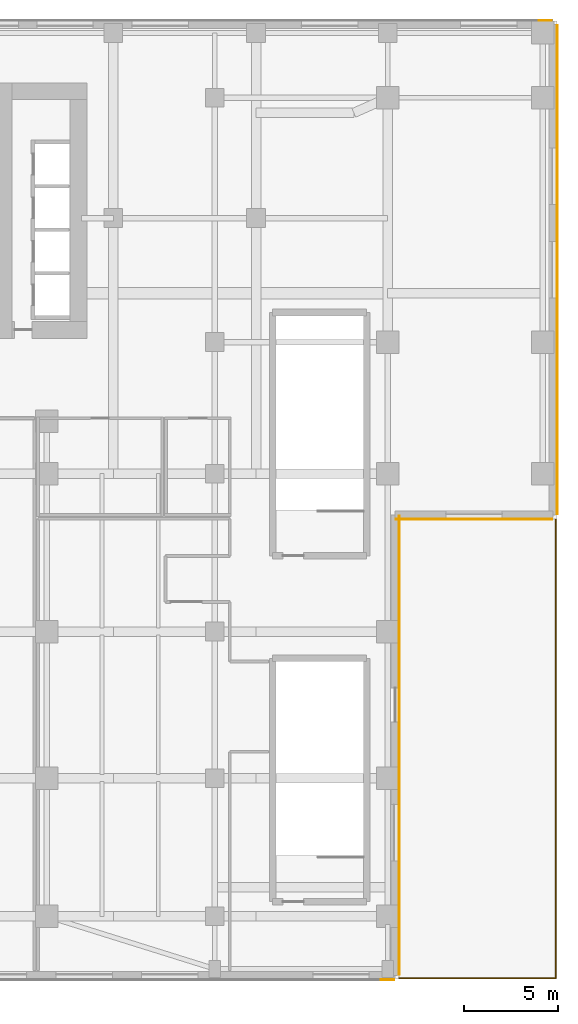
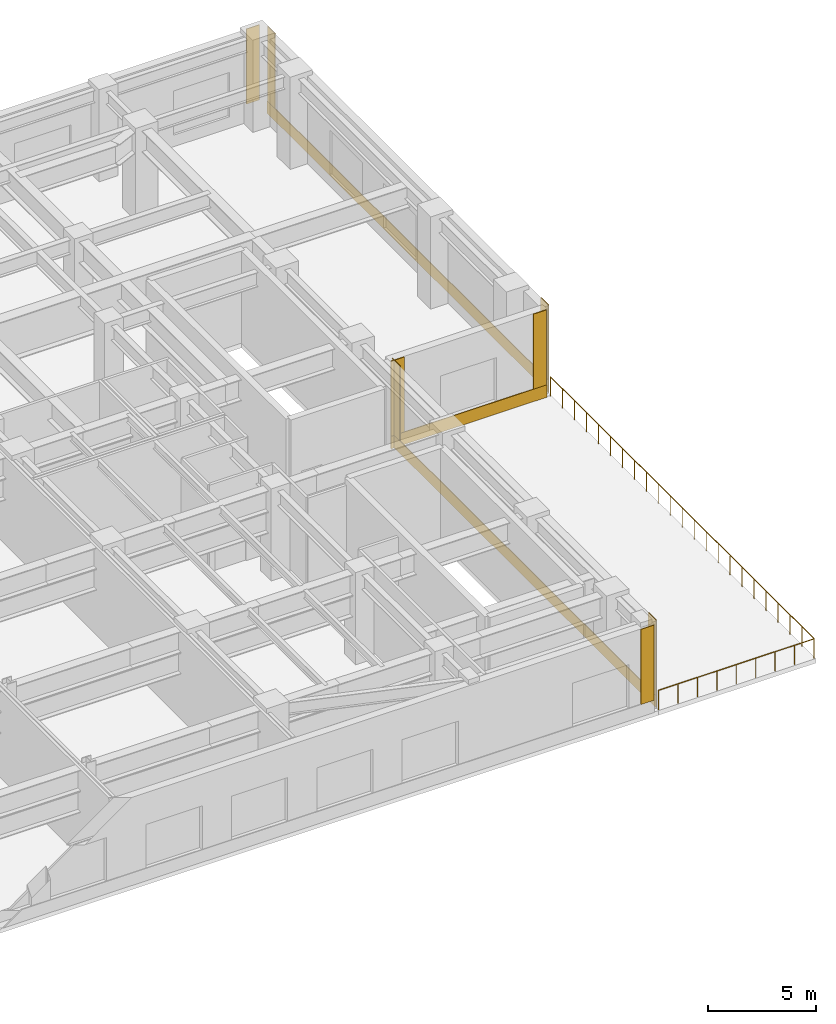
# One storey, part 14 of 14: 11 coverings, 1 railing.
"""IFC4 building model written with IfcOpenShell, lengths in metres."""

import ifcopenshell
import ifcopenshell.guid

model = None  # the IFC model being written
_history = None  # IfcOwnerHistory: only IFC2X3 demands one
_inside = {}  # id of a spatial element -> (the spatial element, [elements in it])
_under = {}  # id of a project, library or spatial element -> (it, [spatial elements below it])
_declared = {}  # id of a project -> (the project, [libraries it declares])
_typed = {}  # id of a type object -> (the type object, [elements of that type])
_made_of = {}  # id of a material, layer set ... -> (it, [elements and type objects made of it])


def new_model(schema):
    """Start an empty IFC model of exactly this schema.

    Asked for "IFC4X3", IfcOpenShell would pick the latest addendum, in which some entities
    have other attributes; the version numbers below select the first issue.
    IFC2X3 requires an IfcOwnerHistory on every rooted entity: one is made here for all.
    """
    global model, _history
    if schema == "IFC4X3":
        model = ifcopenshell.file(schema_version=(4, 3, 0, 0))
    else:
        model = ifcopenshell.file(schema=schema)
    _inside.clear()
    _under.clear()
    _declared.clear()
    _typed.clear()
    _made_of.clear()
    _history = None
    if model.schema == "IFC2X3":
        org = make("IfcOrganization", Name="unknown")
        user = make(
            "IfcPersonAndOrganization",
            ThePerson=make("IfcPerson", FamilyName="unknown"),
            TheOrganization=org,
        )
        app = make(
            "IfcApplication",
            ApplicationDeveloper=org,
            Version="unknown",
            ApplicationFullName="unknown",
            ApplicationIdentifier="unknown",
        )
        _history = make(
            "IfcOwnerHistory",
            OwningUser=user,
            OwningApplication=app,
            ChangeAction="ADDED",
            CreationDate=0,
        )
    return model


def make(cls, **values):
    """One entity of the class cls with the attributes given. An attribute that is None is left unset."""
    return model.create_entity(
        cls, **{name: value for name, value in values.items() if value is not None}
    )


def rooted(cls, **values):
    """An entity with a GlobalId (a new one), such as an element, a storey or a relation."""
    return make(cls, GlobalId=ifcopenshell.guid.new(), OwnerHistory=_history, **values)


def si_unit(unit_type, name, prefix=None):
    """IfcSIUnit, for example si_unit("LENGTHUNIT", "METRE", prefix="MILLI")."""
    return make("IfcSIUnit", UnitType=unit_type, Prefix=prefix, Name=name)


def assignment(units):
    """IfcUnitAssignment: the units of a project."""
    return None if units is None else make("IfcUnitAssignment", Units=units)


def point(xyz):
    """IfcCartesianPoint."""
    return None if xyz is None else make("IfcCartesianPoint", Coordinates=xyz)


def direction(xyz):
    """IfcDirection."""
    return None if xyz is None else make("IfcDirection", DirectionRatios=xyz)


def frame(location, z_axis=None, x_axis=None):
    """IfcAxis2Placement3D, a coordinate frame: its origin and axes. An axis left out is left unset."""
    return make(
        "IfcAxis2Placement3D",
        Location=point(location),
        Axis=direction(z_axis),
        RefDirection=direction(x_axis),
    )


def frame_2d(location, x_axis=None):
    """IfcAxis2Placement2D, a coordinate frame in the plane: its origin and x axis."""
    return make(
        "IfcAxis2Placement2D", Location=point(location), RefDirection=direction(x_axis)
    )


def origin():
    """The frame at (0, 0, 0) with its axes left unset."""
    return frame((0.0, 0.0, 0.0))


def origin_2d():
    """The frame at (0, 0) in the plane with its x axis left unset."""
    return frame_2d((0.0, 0.0))


def place(relative_to, where):
    """IfcLocalPlacement: puts the frame where relative to a parent placement (None: the world)."""
    return make(
        "IfcLocalPlacement", PlacementRelTo=relative_to, RelativePlacement=where
    )


def context(
    kind, dimensions, precision=None, world=None, true_north=None, identifier=None
):
    """IfcGeometricRepresentationContext, for example the 3D "Model" context."""
    return make(
        "IfcGeometricRepresentationContext",
        ContextIdentifier=identifier,
        ContextType=kind,
        CoordinateSpaceDimension=dimensions,
        Precision=precision,
        WorldCoordinateSystem=world,
        TrueNorth=true_north,
    )


def subcontext(parent, identifier, kind, view, scale=None):
    """IfcGeometricRepresentationSubContext, for example "Body" below "Model"."""
    return make(
        "IfcGeometricRepresentationSubContext",
        ContextIdentifier=identifier,
        ContextType=kind,
        ParentContext=parent,
        TargetScale=scale,
        TargetView=view,
    )


def project(units=None, contexts=None):
    """IfcProject with its units and contexts."""
    return rooted(
        "IfcProject",
        Name="project",
        RepresentationContexts=contexts,
        UnitsInContext=assignment(units),
    )


def spatial(cls, under=None, at=None, **own):
    """A site, building, storey or space (cls), placed at a placement, below another one or the project."""
    s = rooted(cls, ObjectPlacement=at, **own)
    if under is not None:
        _under.setdefault(under.id(), (under, []))[1].append(s)
    return s


def polyline(points):
    """IfcPolyline through the points."""
    return make("IfcPolyline", Points=[point(p) for p in points])


def profile(cls, at=None, kind="AREA", **sizes):
    """A parametric profile (cls). Its sizes go by their IFC names, for example OverallWidth=200.0."""
    return make(cls, ProfileType=kind, Position=at, **sizes)


def circle(**sizes):
    """IfcCircleProfileDef."""
    return profile("IfcCircleProfileDef", **sizes)


def outline(outer, holes=None, kind="AREA"):
    """IfcArbitraryClosedProfileDef: a profile drawn as a closed curve; with holes, ...WithVoids."""
    if holes is None:
        return make("IfcArbitraryClosedProfileDef", ProfileType=kind, OuterCurve=outer)
    return make(
        "IfcArbitraryProfileDefWithVoids",
        ProfileType=kind,
        OuterCurve=outer,
        InnerCurves=holes,
    )


def extrude(swept, where, along, depth):
    """IfcExtrudedAreaSolid: the profile swept, set in the frame where, extruded along a direction by depth."""
    return make(
        "IfcExtrudedAreaSolid",
        SweptArea=swept,
        Position=where,
        ExtrudedDirection=direction(along),
        Depth=depth,
    )


def shape(context_of_items, identifier, shape_type, items):
    """IfcShapeRepresentation: the items that make up one representation, for example the "Body"."""
    return make(
        "IfcShapeRepresentation",
        ContextOfItems=context_of_items,
        RepresentationIdentifier=identifier,
        RepresentationType=shape_type,
        Items=items,
    )


def material(Name=None, Category=None):
    """IfcMaterial."""
    return make("IfcMaterial", Name=Name, Category=Category)


def layer(
    of_material, thickness, ventilated=None, Name=None, Category=None, Priority=None
):
    """IfcMaterialLayer: one layer of a wall or slab, of a material (None: an air gap)."""
    return make(
        "IfcMaterialLayer",
        Material=of_material,
        LayerThickness=thickness,
        IsVentilated=ventilated,
        Name=Name,
        Category=Category,
        Priority=Priority,
    )


def layer_set(layers, Name=None):
    """IfcMaterialLayerSet."""
    return make("IfcMaterialLayerSet", MaterialLayers=layers, LayerSetName=Name)


def made_of(thing, what):
    """Note that an element or type object is made of a material, layer set ...; save() writes the relation."""
    if what is not None:
        _made_of.setdefault(what.id(), (what, []))[1].append(thing)
    return thing


def type_object(cls, material=None, **own):
    """A type object (cls), such as IfcWallType, which elements share."""
    return made_of(rooted(cls, **own), material)


def element(
    cls,
    number,
    at=None,
    inside=None,
    cuts=None,
    type_object=None,
    material=None,
    context=None,
    identifier="Body",
    shape_type=None,
    held_by="IfcProductDefinitionShape",
    body=None,
    shapes=None,
    **own,
):
    """One element of the class cls, such as IfcWall. Its Tag is "e" and its number.

    at: its placement. inside: the storey or other place that contains it. cuts: it is an
    opening in that element (IfcRelVoidsElement). A single representation is given by context,
    identifier, shape_type and body (its items); several are given by shapes. held_by: the class
    of the entity that holds the representations. save() writes the other relations.
    """
    e = rooted(cls, Tag="e%d" % number, ObjectPlacement=at, **own)
    if body is not None:
        shapes = [shape(context, identifier, shape_type, body)]
    if shapes is not None:
        e.Representation = make(held_by, Representations=shapes)
    if inside is not None:
        _inside.setdefault(inside.id(), (inside, []))[1].append(e)
    if cuts is not None:
        rooted(
            "IfcRelVoidsElement", RelatingBuildingElement=cuts, RelatedOpeningElement=e
        )
    if type_object is not None:
        _typed.setdefault(type_object.id(), (type_object, []))[1].append(e)
    return made_of(e, material)


def aggregate(whole, parts):
    """IfcRelAggregates: a whole, such as a stair, and the parts it consists of."""
    return rooted("IfcRelAggregates", RelatingObject=whole, RelatedObjects=parts)


def save(model, path):
    """Write the relations noted so far, then the file.

    IfcRelAggregates (storeys below a building ...), IfcRelContainedInSpatialStructure (elements
    in a storey), IfcRelDefinesByType, IfcRelAssociatesMaterial and IfcRelDeclares: one each for
    every whole, place, type object, material and project.
    """
    for whole, parts in _under.values():
        aggregate(whole, parts)
    for where, things in _inside.values():
        rooted(
            "IfcRelContainedInSpatialStructure",
            RelatedElements=things,
            RelatingStructure=where,
        )
    for kind, things in _typed.values():
        rooted("IfcRelDefinesByType", RelatedObjects=things, RelatingType=kind)
    for what, things in _made_of.values():
        rooted("IfcRelAssociatesMaterial", RelatedObjects=things, RelatingMaterial=what)
    for by, libraries in _declared.values():
        rooted("IfcRelDeclares", RelatingContext=by, RelatedDefinitions=libraries)
    model.write(path)


model = new_model("IFC4")

# Units and contexts
model_context = context("Model", 3, precision=1e-05, world=origin(), true_north=direction((0.0, 1.0)))
body_context = subcontext(model_context, "Body", "Model", "MODEL_VIEW")
ifc_project = project(units=[si_unit("LENGTHUNIT", "METRE"), si_unit("AREAUNIT", "SQUARE_METRE"), si_unit("VOLUMEUNIT", "CUBIC_METRE"), si_unit("PLANEANGLEUNIT", "RADIAN"), si_unit("MASSUNIT", "GRAM", prefix="KILO")], contexts=[model_context])

# Site, building, storey
site_placement = place(None, origin())
site = spatial("IfcSite", under=ifc_project, at=site_placement, CompositionType="ELEMENT")
building_placement = place(site_placement, origin())
building = spatial("IfcBuilding", under=site, at=building_placement, Name="Tolvann Quenvar Hotel", CompositionType="ELEMENT")
storey_placement = place(building_placement, frame((0.0, 0.0, 26.800048828125)))
storey = spatial("IfcBuildingStorey", under=building, at=storey_placement, Name="L05", CompositionType="ELEMENT", Elevation=26.800048828125)

# Coverings
ifc_material_1 = material(Name="Kiln-fired red architectural face brick cladding", Category="masonry")
ifc_layer_1 = layer(ifc_material_1, 0.0400390625)
ifc_layer_set_1 = layer_set([ifc_layer_1], Name="Kiln-fired red architectural face brick cladding")
covering_type_1 = type_object("IfcCoveringType", Name="COV_CLAD_BRICK_40", PredefinedType="CLADDING", material=ifc_layer_set_1)
covering_1_placement = place(storey_placement, frame((0.0, 0.0, 0.699951171875)))
element("IfcCovering", 1, at=covering_1_placement, inside=storey, type_object=covering_type_1, Name="Brick Pier Cladding (L05-E01-P1)", PredefinedType="CLADDING", context=body_context, shape_type="SweptSolid", body=[
    extrude(outline(polyline([(57.0, -2.239990234375), (57.0, -1.5400390625), (57.0400390625, -1.5400390625), (57.0400390625, -2.239990234375), (57.0, -2.239990234375)])), origin(), (0.0, 0.0, 1.0), 4.239990234375),
])
covering_2_placement = place(storey_placement, frame((0.0, 0.0, 0.699951171875)))
element("IfcCovering", 2, at=covering_2_placement, inside=storey, type_object=covering_type_1, Name="Brick Pier Cladding (L05-E01-P2)", PredefinedType="CLADDING", context=body_context, shape_type="SweptSolid", body=[
    extrude(outline(polyline([(57.0, 21.4599609375), (57.0, 22.159912109375), (57.0400390625, 22.159912109375), (57.0400390625, 21.4599609375), (57.0, 21.4599609375)])), origin(), (0.0, 0.0, 1.0), 4.239990234375),
])
covering_3_placement = place(storey_placement, frame((0.0, 0.0, 0.699951171875)))
element("IfcCovering", 3, at=covering_3_placement, inside=storey, type_object=covering_type_1, Name="Brick Pier Cladding (L05-E02-P1)", PredefinedType="CLADDING", context=body_context, shape_type="SweptSolid", body=[
    extrude(outline(polyline([(56.840087890625, 22.0), (57.5400390625, 22.0), (57.5400390625, 21.9599609375), (56.840087890625, 21.9599609375), (56.840087890625, 22.0)])), origin(), (0.0, 0.0, 1.0), 4.239990234375),
])
covering_4_placement = place(storey_placement, frame((0.0, 0.0, 0.699951171875)))
element("IfcCovering", 4, at=covering_4_placement, inside=storey, type_object=covering_type_1, Name="Brick Pier Cladding (L05-E02-P2)", PredefinedType="CLADDING", context=body_context, shape_type="SweptSolid", body=[
    extrude(outline(polyline([(64.43994140625, 22.0), (65.139892578125, 22.0), (65.139892578125, 21.9599609375), (64.43994140625, 21.9599609375), (64.43994140625, 22.0)])), origin(), (0.0, 0.0, 1.0), 4.239990234375),
])
covering_5_placement = place(storey_placement, frame((0.0, 0.0, 0.699951171875)))
element("IfcCovering", 5, at=covering_5_placement, inside=storey, type_object=covering_type_1, Name="Brick Pier Cladding (L05-E03-P1)", PredefinedType="CLADDING", context=body_context, shape_type="SweptSolid", body=[
    extrude(outline(polyline([(65.39990234375, 22.260009765625), (65.39990234375, 22.9599609375), (65.43994140625, 22.9599609375), (65.43994140625, 22.260009765625), (65.39990234375, 22.260009765625)])), origin(), (0.0, 0.0, 1.0), 4.239990234375),
])
covering_6_placement = place(storey_placement, frame((0.0, 0.0, 0.699951171875)))
element("IfcCovering", 6, at=covering_6_placement, inside=storey, type_object=covering_type_1, Name="Brick Pier Cladding (L05-E03-P2)", PredefinedType="CLADDING", context=body_context, shape_type="SweptSolid", body=[
    extrude(outline(polyline([(65.39990234375, 47.5400390625), (65.39990234375, 48.239990234375), (65.43994140625, 48.239990234375), (65.43994140625, 47.5400390625), (65.39990234375, 47.5400390625)])), origin(), (0.0, 0.0, 1.0), 4.239990234375),
])
covering_7_placement = place(storey_placement, frame((0.0, 0.0, 0.699951171875)))
element("IfcCovering", 7, at=covering_7_placement, inside=storey, type_object=covering_type_1, Name="Brick Pier Cladding (L05-E04-P1)", PredefinedType="CLADDING", context=body_context, shape_type="SweptSolid", body=[
    extrude(outline(polyline([(65.139892578125, 48.5), (64.43994140625, 48.5), (64.43994140625, 48.5400390625), (65.139892578125, 48.5400390625), (65.139892578125, 48.5)])), origin(), (0.0, 0.0, 1.0), 4.239990234375),
])
covering_8_placement = place(storey_placement, frame((0.0, 0.0, 0.699951171875)))
element("IfcCovering", 8, at=covering_8_placement, inside=storey, type_object=covering_type_1, Name="Brick Pier Cladding (L05-E06-P2)", PredefinedType="CLADDING", context=body_context, shape_type="SweptSolid", body=[
    extrude(outline(polyline([(56.0400390625, -2.5), (56.739990234375, -2.5), (56.739990234375, -2.5400390625), (56.0400390625, -2.5400390625), (56.0400390625, -2.5)])), origin(), (0.0, 0.0, 1.0), 4.239990234375),
])
ifc_material_2 = material(Name="Moulded buff architectural terracotta spandrel cladding", Category="masonry")
ifc_layer_2 = layer(ifc_material_2, 0.0400390625)
ifc_layer_set_2 = layer_set([ifc_layer_2], Name="Moulded buff architectural terracotta spandrel cladding")
covering_type_2 = type_object("IfcCoveringType", Name="COV_CLAD_TERRA_40", PredefinedType="CLADDING", material=ifc_layer_set_2)
covering_9_placement = place(storey_placement, origin())
element("IfcCovering", 9, at=covering_9_placement, inside=storey, type_object=covering_type_2, Name="Terracotta Spandrel Cladding (L05-E01)", PredefinedType="CLADDING", context=body_context, shape_type="SweptSolid", body=[
    extrude(outline(polyline([(57.0, -2.25), (57.0, 22.169921875), (57.0400390625, 22.169921875), (57.0400390625, -2.25), (57.0, -2.25)])), origin(), (0.0, 0.0, 1.0), 0.699951171875),
])
covering_10_placement = place(storey_placement, origin())
element("IfcCovering", 10, at=covering_10_placement, inside=storey, type_object=covering_type_2, Name="Terracotta Spandrel Cladding (L05-E02)", PredefinedType="CLADDING", context=body_context, shape_type="SweptSolid", body=[
    extrude(outline(polyline([(56.830078125, 22.0), (65.14990234375, 22.0), (65.14990234375, 21.9599609375), (56.830078125, 21.9599609375), (56.830078125, 22.0)])), origin(), (0.0, 0.0, 1.0), 0.699951171875),
])
covering_11_placement = place(storey_placement, origin())
element("IfcCovering", 11, at=covering_11_placement, inside=storey, type_object=covering_type_2, Name="Terracotta Spandrel Cladding (L05-E03)", PredefinedType="CLADDING", context=body_context, shape_type="SweptSolid", body=[
    extrude(outline(polyline([(65.39990234375, 22.25), (65.39990234375, 48.25), (65.43994140625, 48.25), (65.43994140625, 22.25), (65.39990234375, 22.25)])), origin(), (0.0, 0.0, 1.0), 0.699951171875),
])

# Railing
ifc_material_3 = material(Name="Brushed 316 marine-grade stainless steel balustrade and laminated safety glass", Category="steel")
railing_type = type_object("IfcRailingType", Name="RAIL_BAL_1100", PredefinedType="BALUSTRADE", material=ifc_material_3)
railing_placement = place(storey_placement, frame((57.02001953125, -2.43994140625, 0.0)))
element("IfcRailing", 12, at=railing_placement, inside=storey, type_object=railing_type, Name="Safety Balustrade BAL-TER-L05-SE", PredefinedType="BALUSTRADE", context=body_context, shape_type="SweptSolid", body=[
    extrude(circle(Radius=0.02490234375, at=origin_2d()), frame((0.0, 0.0, 1.09521484375), z_axis=(1.0, 0.0, 0.0), x_axis=(0.0, 1.0, 0.0)), (0.0, 0.0, 1.0), 8.320068359375),
    extrude(circle(Radius=0.02490234375, at=origin_2d()), frame((8.320068359375, 0.0, 1.09521484375), z_axis=(0.0, 1.0, 0.0), x_axis=(-1.0, 0.0, 0.0)), (0.0, 0.0, 1.0), 24.39990234375),
    extrude(circle(Radius=0.02197265625, at=origin_2d()), origin(), (0.0, 0.0, 1.0), 1.070068359375),
    extrude(circle(Radius=0.02197265625, at=origin_2d()), frame((1.0400390625, 0.0, 0.0)), (0.0, 0.0, 1.0), 1.070068359375),
    extrude(circle(Radius=0.02197265625, at=origin_2d()), frame((2.080078125, 0.0, 0.0)), (0.0, 0.0, 1.0), 1.070068359375),
    extrude(circle(Radius=0.02197265625, at=origin_2d()), frame((3.1201171875, 0.0, 0.0)), (0.0, 0.0, 1.0), 1.070068359375),
    extrude(circle(Radius=0.02197265625, at=origin_2d()), frame((4.16015625, 0.0, 0.0)), (0.0, 0.0, 1.0), 1.070068359375),
    extrude(circle(Radius=0.02197265625, at=origin_2d()), frame((5.199951171875, 0.0, 0.0)), (0.0, 0.0, 1.0), 1.070068359375),
    extrude(circle(Radius=0.02197265625, at=origin_2d()), frame((6.239990234375, 0.0, 0.0)), (0.0, 0.0, 1.0), 1.070068359375),
    extrude(circle(Radius=0.02197265625, at=origin_2d()), frame((7.280029296875, 0.0, 0.0)), (0.0, 0.0, 1.0), 1.070068359375),
    extrude(circle(Radius=0.02197265625, at=origin_2d()), frame((8.320068359375, 0.0, 0.0)), (0.0, 0.0, 1.0), 1.070068359375),
    extrude(circle(Radius=0.02197265625, at=origin_2d()), frame((8.320068359375, 1.109130859375, 0.0)), (0.0, 0.0, 1.0), 1.070068359375),
    extrude(circle(Radius=0.02197265625, at=origin_2d()), frame((8.320068359375, 2.21826171875, 0.0)), (0.0, 0.0, 1.0), 1.070068359375),
    extrude(circle(Radius=0.02197265625, at=origin_2d()), frame((8.320068359375, 3.3271484375, 0.0)), (0.0, 0.0, 1.0), 1.070068359375),
    extrude(circle(Radius=0.02197265625, at=origin_2d()), frame((8.320068359375, 4.436279296875, 0.0)), (0.0, 0.0, 1.0), 1.070068359375),
    extrude(circle(Radius=0.02197265625, at=origin_2d()), frame((8.320068359375, 5.54541015625, 0.0)), (0.0, 0.0, 1.0), 1.070068359375),
    extrude(circle(Radius=0.02197265625, at=origin_2d()), frame((8.320068359375, 6.654541015625, 0.0)), (0.0, 0.0, 1.0), 1.070068359375),
    extrude(circle(Radius=0.02197265625, at=origin_2d()), frame((8.320068359375, 7.763671875, 0.0)), (0.0, 0.0, 1.0), 1.070068359375),
    extrude(circle(Radius=0.02197265625, at=origin_2d()), frame((8.320068359375, 8.872802734375, 0.0)), (0.0, 0.0, 1.0), 1.070068359375),
    extrude(circle(Radius=0.02197265625, at=origin_2d()), frame((8.320068359375, 9.981689453125, 0.0)), (0.0, 0.0, 1.0), 1.070068359375),
    extrude(circle(Radius=0.02197265625, at=origin_2d()), frame((8.320068359375, 11.0908203125, 0.0)), (0.0, 0.0, 1.0), 1.070068359375),
    extrude(circle(Radius=0.02197265625, at=origin_2d()), frame((8.320068359375, 12.199951171875, 0.0)), (0.0, 0.0, 1.0), 1.070068359375),
    extrude(circle(Radius=0.02197265625, at=origin_2d()), frame((8.320068359375, 13.30908203125, 0.0)), (0.0, 0.0, 1.0), 1.070068359375),
    extrude(circle(Radius=0.02197265625, at=origin_2d()), frame((8.320068359375, 14.418212890625, 0.0)), (0.0, 0.0, 1.0), 1.070068359375),
    extrude(circle(Radius=0.02197265625, at=origin_2d()), frame((8.320068359375, 15.527099609375, 0.0)), (0.0, 0.0, 1.0), 1.070068359375),
    extrude(circle(Radius=0.02197265625, at=origin_2d()), frame((8.320068359375, 16.63623046875, 0.0)), (0.0, 0.0, 1.0), 1.070068359375),
    extrude(circle(Radius=0.02197265625, at=origin_2d()), frame((8.320068359375, 17.745361328125, 0.0)), (0.0, 0.0, 1.0), 1.070068359375),
    extrude(circle(Radius=0.02197265625, at=origin_2d()), frame((8.320068359375, 18.8544921875, 0.0)), (0.0, 0.0, 1.0), 1.070068359375),
    extrude(circle(Radius=0.02197265625, at=origin_2d()), frame((8.320068359375, 19.963623046875, 0.0)), (0.0, 0.0, 1.0), 1.070068359375),
    extrude(circle(Radius=0.02197265625, at=origin_2d()), frame((8.320068359375, 21.07275390625, 0.0)), (0.0, 0.0, 1.0), 1.070068359375),
    extrude(circle(Radius=0.02197265625, at=origin_2d()), frame((8.320068359375, 22.181640625, 0.0)), (0.0, 0.0, 1.0), 1.070068359375),
    extrude(circle(Radius=0.02197265625, at=origin_2d()), frame((8.320068359375, 23.290771484375, 0.0)), (0.0, 0.0, 1.0), 1.070068359375),
    extrude(circle(Radius=0.02197265625, at=origin_2d()), frame((8.320068359375, 24.39990234375, 0.0)), (0.0, 0.0, 1.0), 1.070068359375),
])

save(model, "model.ifc")
